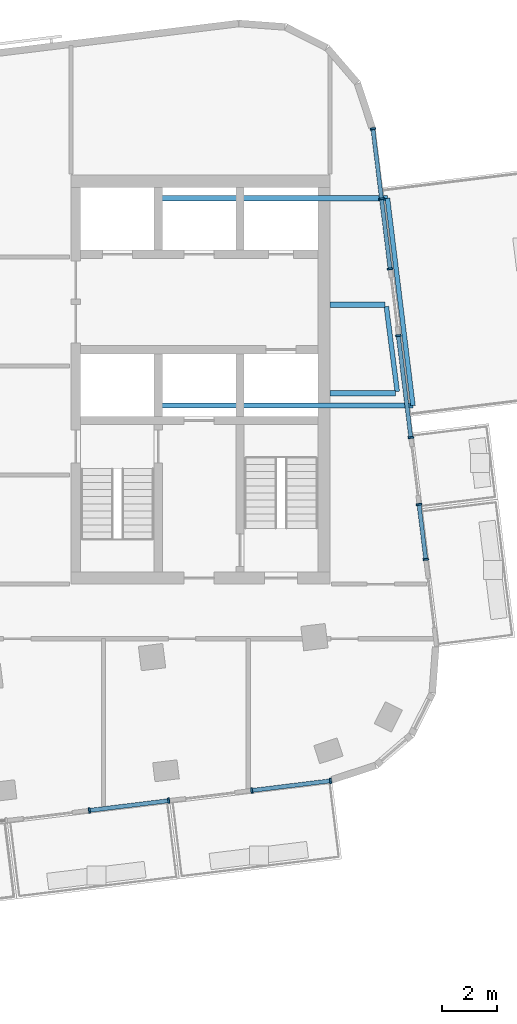
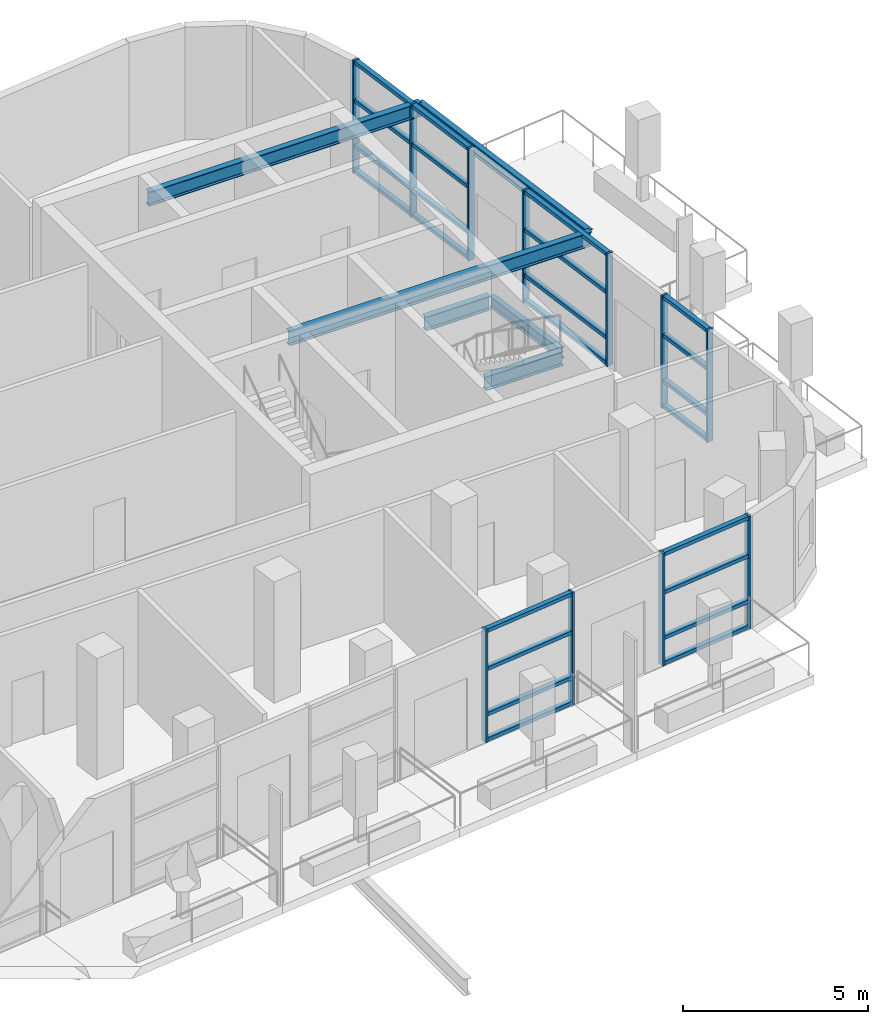
# One storey, part 3 of 13: 35 members, 6 beams, 5 elements without a shape of their own.
"""IFC4 building model written with IfcOpenShell, lengths in metres."""

from ifc_helpers import new_model, si_unit, direction, frame, origin, origin_2d, place, context, subcontext, project, spatial, rectangle, i_section, extrude, material, layer, layer_set, material_profile, profile_set, type_object, element, aggregate, save


model = new_model("IFC4")

# Units and contexts
model_context = context("Model", 3, precision=1e-05, world=origin(), true_north=direction((0.0, 1.0)))
body_context = subcontext(model_context, "Body", "Model", "MODEL_VIEW")
ifc_project = project(units=[si_unit("LENGTHUNIT", "METRE"), si_unit("AREAUNIT", "SQUARE_METRE"), si_unit("VOLUMEUNIT", "CUBIC_METRE"), si_unit("PLANEANGLEUNIT", "RADIAN"), si_unit("MASSUNIT", "GRAM", prefix="KILO")], contexts=[model_context])

# Site, building, storey
site_placement = place(None, origin())
site = spatial("IfcSite", under=ifc_project, at=site_placement, CompositionType="ELEMENT")
building_placement = place(site_placement, origin())
building = spatial("IfcBuilding", under=site, at=building_placement, Name="Torana Hotel and Residences", CompositionType="ELEMENT")
storey_placement = place(building_placement, frame((0.0, 0.0, 314.60009765625)))
storey = spatial("IfcBuildingStorey", under=building, at=storey_placement, Name="L83", CompositionType="ELEMENT", Elevation=314.60009765625)

# Beams
ifc_material_1 = material(Name="Steel S355", Category="steel")
ifc_material_profile_1 = material_profile(ifc_material_1, i_section(OverallWidth=0.19287109375, OverallDepth=0.46728515625, WebThickness=0.011474609375, FlangeThickness=0.01953125, FilletRadius=0.01025390625, at=origin_2d()), Name="457x191x98 UB")
ifc_profile_set_1 = profile_set([ifc_material_profile_1], Name="Steel S355")
beam_type_1 = type_object("IfcBeamType", Name="BALCONY CANTILEVER BEAM 457x191x98 UB", PredefinedType="BEAM", material=ifc_profile_set_1)
beam_1_placement = place(storey_placement, frame((19.489990234375, -8.0, -0.513671875), z_axis=(1.0, 0.0, 0.0), x_axis=(0.0, 1.0, 0.0)))
element("IfcBeam", 1, at=beam_1_placement, inside=storey, type_object=beam_type_1, Name="Balcony cantilever beam", PredefinedType="BEAM", context=body_context, shape_type="SweptSolid", body=[
    extrude(i_section(OverallWidth=0.19287109375, OverallDepth=0.46728515625, WebThickness=0.011474609375, FlangeThickness=0.01953125, FilletRadius=0.01025390625, at=origin_2d()), origin(), (0.0, 0.0, 1.0), 2.41552734375),
])
beam_2_placement = place(storey_placement, frame((19.489990234375, -4.75, -0.513671875), z_axis=(1.0, 0.0, 0.0), x_axis=(0.0, 1.0, 0.0)))
element("IfcBeam", 2, at=beam_2_placement, inside=storey, type_object=beam_type_1, Name="Balcony cantilever beam", PredefinedType="BEAM", context=body_context, shape_type="SweptSolid", body=[
    extrude(i_section(OverallWidth=0.19287109375, OverallDepth=0.46728515625, WebThickness=0.011474609375, FlangeThickness=0.01953125, FilletRadius=0.01025390625, at=origin_2d()), origin(), (0.0, 0.0, 1.0), 2.016357421875),
])
beam_3_placement = place(storey_placement, frame((22.537353515625, -8.449951171875, 3.486328125), z_axis=(-1.0, 0.0, 0.0), x_axis=(0.0, -1.0, 0.0)))
element("IfcBeam", 3, at=beam_3_placement, inside=storey, type_object=beam_type_1, Name="Balcony cantilever beam", PredefinedType="BEAM", context=body_context, shape_type="SweptSolid", body=[
    extrude(i_section(OverallWidth=0.19287109375, OverallDepth=0.46728515625, WebThickness=0.011474609375, FlangeThickness=0.01953125, FilletRadius=0.01025390625, at=origin_2d()), origin(), (0.0, 0.0, 1.0), 9.437255859375),
])
beam_4_placement = place(storey_placement, frame((21.60400390625, -0.85009765625, 3.486328125), z_axis=(-1.0, 0.0, 0.0), x_axis=(0.0, -1.0, 0.0)))
element("IfcBeam", 4, at=beam_4_placement, inside=storey, type_object=beam_type_1, Name="Balcony cantilever beam", PredefinedType="BEAM", context=body_context, shape_type="SweptSolid", body=[
    extrude(i_section(OverallWidth=0.19287109375, OverallDepth=0.46728515625, WebThickness=0.011474609375, FlangeThickness=0.01953125, FilletRadius=0.01025390625, at=origin_2d()), origin(), (0.0, 0.0, 1.0), 8.50390625),
])
ifc_material_2 = material(Name="Steel S355", Category="steel")
ifc_material_profile_2 = material_profile(ifc_material_2, i_section(OverallWidth=0.173095703125, OverallDepth=0.36328125, WebThickness=0.009033203125, FlangeThickness=0.015625, FilletRadius=0.01025390625, at=origin_2d()), Name="356x171x67 UB")
ifc_profile_set_2 = profile_set([ifc_material_profile_2], Name="Steel S355")
beam_type_2 = type_object("IfcBeamType", Name="BALCONY TIP BEAM 356x171x67 UB", PredefinedType="BEAM", material=ifc_profile_set_2)
beam_5_placement = place(storey_placement, frame((21.9619140625, -7.93359375, -0.4619140625), z_axis=(-0.126940899221, 0.991910282286, 0.0), x_axis=(-0.991910282286, -0.126940899221, 0.0)))
element("IfcBeam", 5, at=beam_5_placement, inside=storey, type_object=beam_type_2, Name="Balcony tip beam", PredefinedType="BEAM", context=body_context, shape_type="SweptSolid", body=[
    extrude(i_section(OverallWidth=0.173095703125, OverallDepth=0.36328125, WebThickness=0.009033203125, FlangeThickness=0.015625, FilletRadius=0.01025390625, at=origin_2d()), origin(), (0.0, 0.0, 1.0), 3.142578125),
])
beam_6_placement = place(storey_placement, frame((22.537353515625, -8.449951171875, 3.5380859375), z_axis=(-0.1218957101, 0.992542913863, 0.0), x_axis=(-0.992542913863, -0.1218957101, 0.0)))
element("IfcBeam", 6, at=beam_6_placement, inside=storey, type_object=beam_type_2, Name="Balcony tip beam", PredefinedType="BEAM", context=body_context, shape_type="SweptSolid", body=[
    extrude(i_section(OverallWidth=0.173095703125, OverallDepth=0.36328125, WebThickness=0.009033203125, FlangeThickness=0.015625, FilletRadius=0.01025390625, at=origin_2d()), origin(), (0.0, 0.0, 1.0), 7.656982421875),
])

# Curtain wall, members
ifc_material_3 = material(Name="Dark anodised aluminium", Category="aluminium")
ifc_layer = layer(ifc_material_3, 0.199951171875)
ifc_layer_set = layer_set([ifc_layer], Name="CW3 SKY CLUB UNITISED CURTAIN WALL")
curtain_wall_type = type_object("IfcCurtainWallType", Name="CW3 SKY CLUB UNITISED CURTAIN WALL", PredefinedType="NOTDEFINED", material=ifc_layer_set)
curtain_wall_1_placement = place(storey_placement, origin())
curtain_wall_1 = element("IfcCurtainWall", 7, at=curtain_wall_1_placement, inside=storey, type_object=curtain_wall_type, Name="Curtain wall CW3 L83 e0.14-10", PredefinedType="NOTDEFINED")
ifc_material_4 = material(Name="Dark anodised aluminium", Category="aluminium")
ifc_material_profile_3 = material_profile(ifc_material_4, rectangle(XDim=0.199951171875, YDim=0.070068359375, at=origin_2d()), Name="CW3 MULLION 70x200")
ifc_profile_set_3 = profile_set([ifc_material_profile_3], Name="Dark anodised aluminium")
member_type_1 = type_object("IfcMemberType", Name="CW3 MULLION 70x200", PredefinedType="MULLION", material=ifc_profile_set_3)
member_1_placement = place(storey_placement, frame((10.673828125, -23.29443359375, 0.0), z_axis=(0.0, 0.0, 1.0), x_axis=(-0.121868256929, 0.992546285043, 0.0)))
member_1 = element("IfcMember", 8, at=member_1_placement, type_object=member_type_1, Name="CW3 mullion 1", PredefinedType="MULLION", context=body_context, shape_type="SweptSolid", body=[
    extrude(rectangle(XDim=0.199951171875, YDim=0.070068359375, at=origin_2d()), origin(), (0.0, 0.0, 1.0), 3.719970703125),
])
member_2_placement = place(storey_placement, frame((13.58203125, -22.9375, 0.0), z_axis=(0.0, 0.0, 1.0), x_axis=(-0.121868256929, 0.992546285043, 0.0)))
member_2 = element("IfcMember", 9, at=member_2_placement, type_object=member_type_1, Name="CW3 mullion 2", PredefinedType="MULLION", context=body_context, shape_type="SweptSolid", body=[
    extrude(rectangle(XDim=0.199951171875, YDim=0.070068359375, at=origin_2d()), origin(), (0.0, 0.0, 1.0), 3.719970703125),
])

curtain_wall_2_placement = place(storey_placement, origin())
curtain_wall_2 = element("IfcCurtainWall", 10, at=curtain_wall_2_placement, inside=storey, type_object=curtain_wall_type, Name="Curtain wall CW3 L83 e0.14-12", PredefinedType="NOTDEFINED")
member_3_placement = place(storey_placement, frame((16.629150390625, -22.563232421875, 0.0), z_axis=(0.0, 0.0, 1.0), x_axis=(-0.121862839581, 0.992546950189, 0.0)))
member_3 = element("IfcMember", 11, at=member_3_placement, type_object=member_type_1, Name="CW3 mullion 1", PredefinedType="MULLION", context=body_context, shape_type="SweptSolid", body=[
    extrude(rectangle(XDim=0.199951171875, YDim=0.070068359375, at=origin_2d()), origin(), (0.0, 0.0, 1.0), 3.719970703125),
])
member_4_placement = place(storey_placement, frame((19.512939453125, -22.209228515625, 0.0), z_axis=(0.0, 0.0, 1.0), x_axis=(-0.121862839581, 0.992546950189, 0.0)))
member_4 = element("IfcMember", 12, at=member_4_placement, type_object=member_type_1, Name="CW3 mullion 2", PredefinedType="MULLION", context=body_context, shape_type="SweptSolid", body=[
    extrude(rectangle(XDim=0.199951171875, YDim=0.070068359375, at=origin_2d()), origin(), (0.0, 0.0, 1.0), 3.719970703125),
])

curtain_wall_3_placement = place(storey_placement, origin())
curtain_wall_3 = element("IfcCurtainWall", 13, at=curtain_wall_3_placement, inside=storey, type_object=curtain_wall_type, Name="Curtain wall CW3 L83 e0.19-2", PredefinedType="NOTDEFINED")
member_5_placement = place(storey_placement, frame((23.0087890625, -14.087646484375, 0.0), z_axis=(0.0, 0.0, 1.0), x_axis=(-0.992540827019, -0.121912701141, 0.0)))
member_5 = element("IfcMember", 14, at=member_5_placement, type_object=member_type_1, Name="CW3 mullion 1", PredefinedType="MULLION", context=body_context, shape_type="SweptSolid", body=[
    extrude(rectangle(XDim=0.199951171875, YDim=0.070068359375, at=origin_2d()), origin(), (0.0, 0.0, 1.0), 3.719970703125),
])
member_6_placement = place(storey_placement, frame((22.76123046875, -12.072998046875, 0.0), z_axis=(0.0, 0.0, 1.0), x_axis=(-0.992540827019, -0.121912701141, 0.0)))
member_6 = element("IfcMember", 15, at=member_6_placement, type_object=member_type_1, Name="CW3 mullion 2", PredefinedType="MULLION", context=body_context, shape_type="SweptSolid", body=[
    extrude(rectangle(XDim=0.199951171875, YDim=0.070068359375, at=origin_2d()), origin(), (0.0, 0.0, 1.0), 3.719970703125),
])

curtain_wall_4_placement = place(storey_placement, origin())
curtain_wall_4 = element("IfcCurtainWall", 16, at=curtain_wall_4_placement, inside=storey, type_object=curtain_wall_type, Name="Curtain wall CW3 L83 e0.19-4", PredefinedType="NOTDEFINED")
member_7_placement = place(storey_placement, frame((22.46044921875, -9.621337890625, 0.0), z_axis=(0.0, 0.0, 1.0), x_axis=(-0.992544175414, -0.121885437403, 0.0)))
member_7 = element("IfcMember", 17, at=member_7_placement, type_object=member_type_1, Name="CW3 mullion 1", PredefinedType="MULLION", context=body_context, shape_type="SweptSolid", body=[
    extrude(rectangle(XDim=0.199951171875, YDim=0.070068359375, at=origin_2d()), origin(), (0.0, 0.0, 1.0), 3.719970703125),
])
member_8_placement = place(storey_placement, frame((22.001953125, -5.887939453125, 0.0), z_axis=(0.0, 0.0, 1.0), x_axis=(-0.992544175414, -0.121885437403, 0.0)))
member_8 = element("IfcMember", 18, at=member_8_placement, type_object=member_type_1, Name="CW3 mullion 2", PredefinedType="MULLION", context=body_context, shape_type="SweptSolid", body=[
    extrude(rectangle(XDim=0.199951171875, YDim=0.070068359375, at=origin_2d()), origin(), (0.0, 0.0, 1.0), 3.719970703125),
])

curtain_wall_5_placement = place(storey_placement, origin())
curtain_wall_5 = element("IfcCurtainWall", 19, at=curtain_wall_5_placement, inside=storey, type_object=curtain_wall_type, Name="Curtain wall CW3 L83 e0.19-6", PredefinedType="NOTDEFINED")
member_9_placement = place(storey_placement, frame((21.700927734375, -3.436279296875, 0.0), z_axis=(0.0, 0.0, 1.0), x_axis=(-0.992546004929, -0.121870538273, 0.0)))
member_9 = element("IfcMember", 20, at=member_9_placement, type_object=member_type_1, Name="CW3 mullion 1", PredefinedType="MULLION", context=body_context, shape_type="SweptSolid", body=[
    extrude(rectangle(XDim=0.199951171875, YDim=0.070068359375, at=origin_2d()), origin(), (0.0, 0.0, 1.0), 3.719970703125),
])
member_10_placement = place(storey_placement, frame((21.385498046875, -0.86865234375, 0.0), z_axis=(0.0, 0.0, 1.0), x_axis=(-0.992546004929, -0.121870538273, 0.0)))
member_10 = element("IfcMember", 21, at=member_10_placement, type_object=member_type_1, Name="CW3 mullion 2", PredefinedType="MULLION", context=body_context, shape_type="SweptSolid", body=[
    extrude(rectangle(XDim=0.199951171875, YDim=0.070068359375, at=origin_2d()), origin(), (0.0, 0.0, 1.0), 3.719970703125),
])
member_11_placement = place(storey_placement, frame((21.0703125, 1.69921875, 0.0), z_axis=(0.0, 0.0, 1.0), x_axis=(-0.992546004929, -0.121870538273, 0.0)))
member_11 = element("IfcMember", 22, at=member_11_placement, type_object=member_type_1, Name="CW3 mullion 3", PredefinedType="MULLION", context=body_context, shape_type="SweptSolid", body=[
    extrude(rectangle(XDim=0.199951171875, YDim=0.070068359375, at=origin_2d()), origin(), (0.0, 0.0, 1.0), 3.719970703125),
])

# Member
ifc_material_5 = material(Name="Dark anodised aluminium", Category="aluminium")
ifc_material_profile_4 = material_profile(ifc_material_5, rectangle(XDim=0.14990234375, YDim=0.1201171875, at=origin_2d()), Name="CW3 TRANSOM 150x120")
ifc_profile_set_4 = profile_set([ifc_material_profile_4], Name="Dark anodised aluminium")
member_type_2 = type_object("IfcMemberType", Name="CW3 TRANSOM 150x120", PredefinedType="USERDEFINED", material=ifc_profile_set_4)
member_12_placement = place(storey_placement, frame((10.70849609375, -23.290283203125, 0.059814453125), z_axis=(0.992542186909, 0.121901629217, 0.0), x_axis=(-0.121901629217, 0.992542186909, 0.0)))
member_12 = element("IfcMember", 23, at=member_12_placement, type_object=member_type_2, Name="CW3 transom 1.1", ObjectType="TRANSOM", PredefinedType="USERDEFINED", context=body_context, shape_type="SweptSolid", body=[
    extrude(rectangle(XDim=0.14990234375, YDim=0.1201171875, at=origin_2d()), origin(), (0.0, 0.0, 1.0), 2.85986328125),
])

member_13_placement = place(storey_placement, frame((10.70849609375, -23.290283203125, 0.89990234375), z_axis=(0.992542186909, 0.121901629217, 0.0), x_axis=(-0.121901629217, 0.992542186909, 0.0)))
member_13 = element("IfcMember", 24, at=member_13_placement, type_object=member_type_2, Name="CW3 transom 1.2", ObjectType="TRANSOM", PredefinedType="USERDEFINED", context=body_context, shape_type="SweptSolid", body=[
    extrude(rectangle(XDim=0.14990234375, YDim=0.1201171875, at=origin_2d()), origin(), (0.0, 0.0, 1.0), 2.85986328125),
])

member_14_placement = place(storey_placement, frame((10.70849609375, -23.290283203125, 2.39990234375), z_axis=(0.992542186909, 0.121901629217, 0.0), x_axis=(-0.121901629217, 0.992542186909, 0.0)))
member_14 = element("IfcMember", 25, at=member_14_placement, type_object=member_type_2, Name="CW3 transom 1.3", ObjectType="TRANSOM", PredefinedType="USERDEFINED", context=body_context, shape_type="SweptSolid", body=[
    extrude(rectangle(XDim=0.14990234375, YDim=0.1201171875, at=origin_2d()), origin(), (0.0, 0.0, 1.0), 2.85986328125),
])

member_15_placement = place(storey_placement, frame((10.70849609375, -23.290283203125, 3.659912109375), z_axis=(0.992542186909, 0.121901629217, 0.0), x_axis=(-0.121901629217, 0.992542186909, 0.0)))
member_15 = element("IfcMember", 26, at=member_15_placement, type_object=member_type_2, Name="CW3 transom 1.4", ObjectType="TRANSOM", PredefinedType="USERDEFINED", context=body_context, shape_type="SweptSolid", body=[
    extrude(rectangle(XDim=0.14990234375, YDim=0.1201171875, at=origin_2d()), origin(), (0.0, 0.0, 1.0), 2.85986328125),
])

aggregate(curtain_wall_1, [member_1, member_2, member_12, member_13, member_14, member_15])

member_16_placement = place(storey_placement, frame((16.663818359375, -22.55908203125, 0.059814453125), z_axis=(0.992549667858, 0.1218407027, 0.0), x_axis=(-0.1218407027, 0.992549667858, 0.0)))
member_16 = element("IfcMember", 27, at=member_16_placement, type_object=member_type_2, Name="CW3 transom 1.1", ObjectType="TRANSOM", PredefinedType="USERDEFINED", context=body_context, shape_type="SweptSolid", body=[
    extrude(rectangle(XDim=0.14990234375, YDim=0.1201171875, at=origin_2d()), origin(), (0.0, 0.0, 1.0), 2.83544921875),
])

member_17_placement = place(storey_placement, frame((16.663818359375, -22.55908203125, 0.89990234375), z_axis=(0.992549667858, 0.1218407027, 0.0), x_axis=(-0.1218407027, 0.992549667858, 0.0)))
member_17 = element("IfcMember", 28, at=member_17_placement, type_object=member_type_2, Name="CW3 transom 1.2", ObjectType="TRANSOM", PredefinedType="USERDEFINED", context=body_context, shape_type="SweptSolid", body=[
    extrude(rectangle(XDim=0.14990234375, YDim=0.1201171875, at=origin_2d()), origin(), (0.0, 0.0, 1.0), 2.83544921875),
])

member_18_placement = place(storey_placement, frame((16.663818359375, -22.55908203125, 2.39990234375), z_axis=(0.992549667858, 0.1218407027, 0.0), x_axis=(-0.1218407027, 0.992549667858, 0.0)))
member_18 = element("IfcMember", 29, at=member_18_placement, type_object=member_type_2, Name="CW3 transom 1.3", ObjectType="TRANSOM", PredefinedType="USERDEFINED", context=body_context, shape_type="SweptSolid", body=[
    extrude(rectangle(XDim=0.14990234375, YDim=0.1201171875, at=origin_2d()), origin(), (0.0, 0.0, 1.0), 2.83544921875),
])

member_19_placement = place(storey_placement, frame((16.663818359375, -22.55908203125, 3.659912109375), z_axis=(0.992549667858, 0.1218407027, 0.0), x_axis=(-0.1218407027, 0.992549667858, 0.0)))
member_19 = element("IfcMember", 30, at=member_19_placement, type_object=member_type_2, Name="CW3 transom 1.4", ObjectType="TRANSOM", PredefinedType="USERDEFINED", context=body_context, shape_type="SweptSolid", body=[
    extrude(rectangle(XDim=0.14990234375, YDim=0.1201171875, at=origin_2d()), origin(), (0.0, 0.0, 1.0), 2.83544921875),
])

aggregate(curtain_wall_2, [member_3, member_4, member_16, member_17, member_18, member_19])

member_20_placement = place(storey_placement, frame((23.00439453125, -14.052978515625, 0.059814453125), z_axis=(-0.121826713669, 0.992551384985, 0.0), x_axis=(-0.992551384985, -0.121826713669, 0.0)))
member_20 = element("IfcMember", 31, at=member_20_placement, type_object=member_type_2, Name="CW3 transom 1.1", ObjectType="TRANSOM", PredefinedType="USERDEFINED", context=body_context, shape_type="SweptSolid", body=[
    extrude(rectangle(XDim=0.14990234375, YDim=0.1201171875, at=origin_2d()), origin(), (0.0, 0.0, 1.0), 1.9599609375),
])

member_21_placement = place(storey_placement, frame((23.00439453125, -14.052978515625, 0.89990234375), z_axis=(-0.121826713669, 0.992551384985, 0.0), x_axis=(-0.992551384985, -0.121826713669, 0.0)))
member_21 = element("IfcMember", 32, at=member_21_placement, type_object=member_type_2, Name="CW3 transom 1.2", ObjectType="TRANSOM", PredefinedType="USERDEFINED", context=body_context, shape_type="SweptSolid", body=[
    extrude(rectangle(XDim=0.14990234375, YDim=0.1201171875, at=origin_2d()), origin(), (0.0, 0.0, 1.0), 1.9599609375),
])

member_22_placement = place(storey_placement, frame((23.00439453125, -14.052978515625, 2.39990234375), z_axis=(-0.121826713669, 0.992551384985, 0.0), x_axis=(-0.992551384985, -0.121826713669, 0.0)))
member_22 = element("IfcMember", 33, at=member_22_placement, type_object=member_type_2, Name="CW3 transom 1.3", ObjectType="TRANSOM", PredefinedType="USERDEFINED", context=body_context, shape_type="SweptSolid", body=[
    extrude(rectangle(XDim=0.14990234375, YDim=0.1201171875, at=origin_2d()), origin(), (0.0, 0.0, 1.0), 1.9599609375),
])

member_23_placement = place(storey_placement, frame((23.00439453125, -14.052978515625, 3.659912109375), z_axis=(-0.121826713669, 0.992551384985, 0.0), x_axis=(-0.992551384985, -0.121826713669, 0.0)))
member_23 = element("IfcMember", 34, at=member_23_placement, type_object=member_type_2, Name="CW3 transom 1.4", ObjectType="TRANSOM", PredefinedType="USERDEFINED", context=body_context, shape_type="SweptSolid", body=[
    extrude(rectangle(XDim=0.14990234375, YDim=0.1201171875, at=origin_2d()), origin(), (0.0, 0.0, 1.0), 1.9599609375),
])

aggregate(curtain_wall_3, [member_5, member_6, member_20, member_21, member_22, member_23])

member_24_placement = place(storey_placement, frame((22.4560546875, -9.586669921875, 0.059814453125), z_axis=(-0.121885586458, 0.99254415711, 0.0), x_axis=(-0.99254415711, -0.121885586458, 0.0)))
member_24 = element("IfcMember", 35, at=member_24_placement, type_object=member_type_2, Name="CW3 transom 1.1", ObjectType="TRANSOM", PredefinedType="USERDEFINED", context=body_context, shape_type="SweptSolid", body=[
    extrude(rectangle(XDim=0.14990234375, YDim=0.1201171875, at=origin_2d()), origin(), (0.0, 0.0, 1.0), 3.691650390625),
])

member_25_placement = place(storey_placement, frame((22.4560546875, -9.586669921875, 0.89990234375), z_axis=(-0.121885586458, 0.99254415711, 0.0), x_axis=(-0.99254415711, -0.121885586458, 0.0)))
member_25 = element("IfcMember", 36, at=member_25_placement, type_object=member_type_2, Name="CW3 transom 1.2", ObjectType="TRANSOM", PredefinedType="USERDEFINED", context=body_context, shape_type="SweptSolid", body=[
    extrude(rectangle(XDim=0.14990234375, YDim=0.1201171875, at=origin_2d()), origin(), (0.0, 0.0, 1.0), 3.691650390625),
])

member_26_placement = place(storey_placement, frame((22.4560546875, -9.586669921875, 2.39990234375), z_axis=(-0.121885586458, 0.99254415711, 0.0), x_axis=(-0.99254415711, -0.121885586458, 0.0)))
member_26 = element("IfcMember", 37, at=member_26_placement, type_object=member_type_2, Name="CW3 transom 1.3", ObjectType="TRANSOM", PredefinedType="USERDEFINED", context=body_context, shape_type="SweptSolid", body=[
    extrude(rectangle(XDim=0.14990234375, YDim=0.1201171875, at=origin_2d()), origin(), (0.0, 0.0, 1.0), 3.691650390625),
])

member_27_placement = place(storey_placement, frame((22.4560546875, -9.586669921875, 3.659912109375), z_axis=(-0.121885586458, 0.99254415711, 0.0), x_axis=(-0.99254415711, -0.121885586458, 0.0)))
member_27 = element("IfcMember", 38, at=member_27_placement, type_object=member_type_2, Name="CW3 transom 1.4", ObjectType="TRANSOM", PredefinedType="USERDEFINED", context=body_context, shape_type="SweptSolid", body=[
    extrude(rectangle(XDim=0.14990234375, YDim=0.1201171875, at=origin_2d()), origin(), (0.0, 0.0, 1.0), 3.691650390625),
])

aggregate(curtain_wall_4, [member_7, member_8, member_24, member_25, member_26, member_27])

member_28_placement = place(storey_placement, frame((21.696533203125, -3.401611328125, 0.059814453125), z_axis=(-0.12182592217, 0.992551482135, 0.0), x_axis=(-0.992551482135, -0.12182592217, 0.0)))
member_28 = element("IfcMember", 39, at=member_28_placement, type_object=member_type_2, Name="CW3 transom 1.1", ObjectType="TRANSOM", PredefinedType="USERDEFINED", context=body_context, shape_type="SweptSolid", body=[
    extrude(rectangle(XDim=0.14990234375, YDim=0.1201171875, at=origin_2d()), origin(), (0.0, 0.0, 1.0), 2.51708984375),
])

member_29_placement = place(storey_placement, frame((21.696533203125, -3.401611328125, 0.89990234375), z_axis=(-0.12182592217, 0.992551482135, 0.0), x_axis=(-0.992551482135, -0.12182592217, 0.0)))
member_29 = element("IfcMember", 40, at=member_29_placement, type_object=member_type_2, Name="CW3 transom 1.2", ObjectType="TRANSOM", PredefinedType="USERDEFINED", context=body_context, shape_type="SweptSolid", body=[
    extrude(rectangle(XDim=0.14990234375, YDim=0.1201171875, at=origin_2d()), origin(), (0.0, 0.0, 1.0), 2.51708984375),
])

member_30_placement = place(storey_placement, frame((21.696533203125, -3.401611328125, 2.39990234375), z_axis=(-0.12182592217, 0.992551482135, 0.0), x_axis=(-0.992551482135, -0.12182592217, 0.0)))
member_30 = element("IfcMember", 41, at=member_30_placement, type_object=member_type_2, Name="CW3 transom 1.3", ObjectType="TRANSOM", PredefinedType="USERDEFINED", context=body_context, shape_type="SweptSolid", body=[
    extrude(rectangle(XDim=0.14990234375, YDim=0.1201171875, at=origin_2d()), origin(), (0.0, 0.0, 1.0), 2.51708984375),
])

member_31_placement = place(storey_placement, frame((21.696533203125, -3.401611328125, 3.659912109375), z_axis=(-0.12182592217, 0.992551482135, 0.0), x_axis=(-0.992551482135, -0.12182592217, 0.0)))
member_31 = element("IfcMember", 42, at=member_31_placement, type_object=member_type_2, Name="CW3 transom 1.4", ObjectType="TRANSOM", PredefinedType="USERDEFINED", context=body_context, shape_type="SweptSolid", body=[
    extrude(rectangle(XDim=0.14990234375, YDim=0.1201171875, at=origin_2d()), origin(), (0.0, 0.0, 1.0), 2.51708984375),
])

member_32_placement = place(storey_placement, frame((21.38134765625, -0.833740234375, 0.059814453125), z_axis=(-0.12193321463, 0.992538307155, 0.0), x_axis=(-0.992538307155, -0.12193321463, 0.0)))
member_32 = element("IfcMember", 43, at=member_32_placement, type_object=member_type_2, Name="CW3 transom 2.1", ObjectType="TRANSOM", PredefinedType="USERDEFINED", context=body_context, shape_type="SweptSolid", body=[
    extrude(rectangle(XDim=0.14990234375, YDim=0.1201171875, at=origin_2d()), origin(), (0.0, 0.0, 1.0), 2.516845703125),
])

member_33_placement = place(storey_placement, frame((21.38134765625, -0.833740234375, 0.89990234375), z_axis=(-0.12193321463, 0.992538307155, 0.0), x_axis=(-0.992538307155, -0.12193321463, 0.0)))
member_33 = element("IfcMember", 44, at=member_33_placement, type_object=member_type_2, Name="CW3 transom 2.2", ObjectType="TRANSOM", PredefinedType="USERDEFINED", context=body_context, shape_type="SweptSolid", body=[
    extrude(rectangle(XDim=0.14990234375, YDim=0.1201171875, at=origin_2d()), origin(), (0.0, 0.0, 1.0), 2.516845703125),
])

member_34_placement = place(storey_placement, frame((21.38134765625, -0.833740234375, 2.39990234375), z_axis=(-0.12193321463, 0.992538307155, 0.0), x_axis=(-0.992538307155, -0.12193321463, 0.0)))
member_34 = element("IfcMember", 45, at=member_34_placement, type_object=member_type_2, Name="CW3 transom 2.3", ObjectType="TRANSOM", PredefinedType="USERDEFINED", context=body_context, shape_type="SweptSolid", body=[
    extrude(rectangle(XDim=0.14990234375, YDim=0.1201171875, at=origin_2d()), origin(), (0.0, 0.0, 1.0), 2.516845703125),
])

member_35_placement = place(storey_placement, frame((21.38134765625, -0.833740234375, 3.659912109375), z_axis=(-0.12193321463, 0.992538307155, 0.0), x_axis=(-0.992538307155, -0.12193321463, 0.0)))
member_35 = element("IfcMember", 46, at=member_35_placement, type_object=member_type_2, Name="CW3 transom 2.4", ObjectType="TRANSOM", PredefinedType="USERDEFINED", context=body_context, shape_type="SweptSolid", body=[
    extrude(rectangle(XDim=0.14990234375, YDim=0.1201171875, at=origin_2d()), origin(), (0.0, 0.0, 1.0), 2.516845703125),
])

aggregate(curtain_wall_5, [member_9, member_10, member_11, member_28, member_29, member_30, member_31, member_32, member_33, member_34, member_35])

save(model, "model.ifc")
